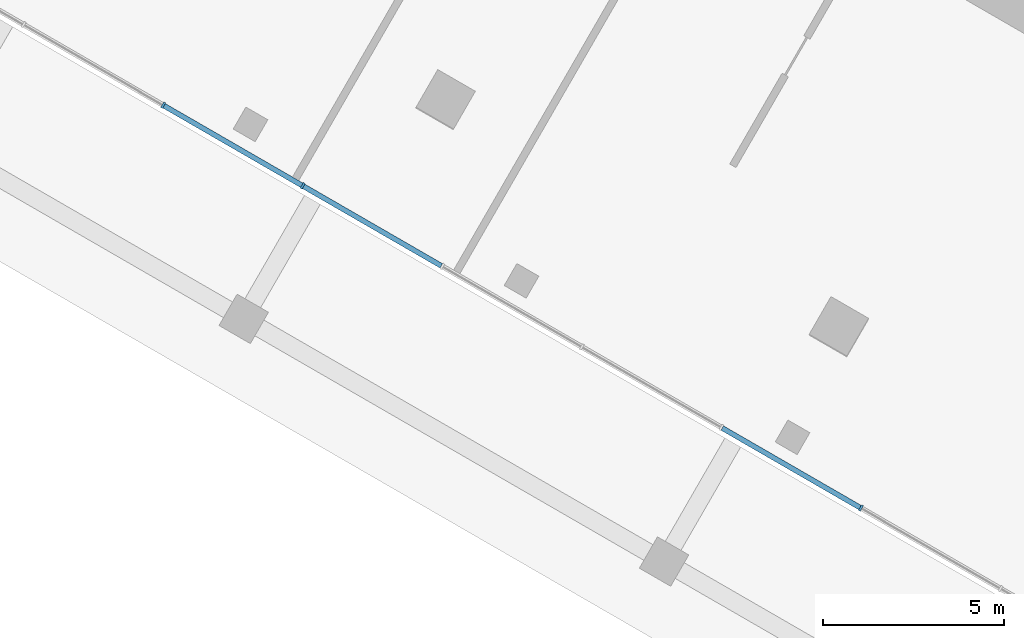
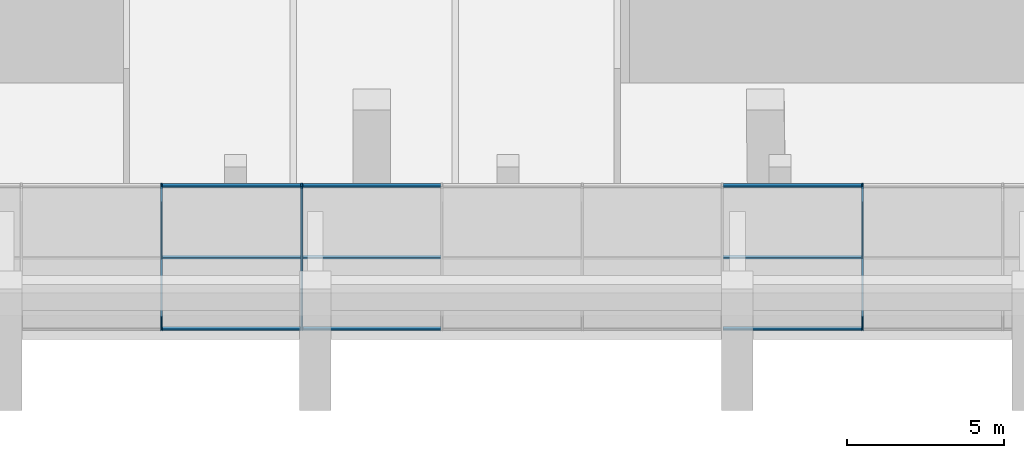
# One storey, part 5 of 51: 12 members, 1 element without a shape of its own.
"""IFC4 building model written with IfcOpenShell, lengths in metres."""

import ifcopenshell
import ifcopenshell.guid

model = None  # the IFC model being written
_history = None  # IfcOwnerHistory: only IFC2X3 demands one
_inside = {}  # id of a spatial element -> (the spatial element, [elements in it])
_under = {}  # id of a project, library or spatial element -> (it, [spatial elements below it])
_declared = {}  # id of a project -> (the project, [libraries it declares])
_typed = {}  # id of a type object -> (the type object, [elements of that type])
_made_of = {}  # id of a material, layer set ... -> (it, [elements and type objects made of it])


def new_model(schema):
    """Start an empty IFC model of exactly this schema.

    Asked for "IFC4X3", IfcOpenShell would pick the latest addendum, in which some entities
    have other attributes; the version numbers below select the first issue.
    IFC2X3 requires an IfcOwnerHistory on every rooted entity: one is made here for all.
    """
    global model, _history
    if schema == "IFC4X3":
        model = ifcopenshell.file(schema_version=(4, 3, 0, 0))
    else:
        model = ifcopenshell.file(schema=schema)
    _inside.clear()
    _under.clear()
    _declared.clear()
    _typed.clear()
    _made_of.clear()
    _history = None
    if model.schema == "IFC2X3":
        org = make("IfcOrganization", Name="unknown")
        user = make(
            "IfcPersonAndOrganization",
            ThePerson=make("IfcPerson", FamilyName="unknown"),
            TheOrganization=org,
        )
        app = make(
            "IfcApplication",
            ApplicationDeveloper=org,
            Version="unknown",
            ApplicationFullName="unknown",
            ApplicationIdentifier="unknown",
        )
        _history = make(
            "IfcOwnerHistory",
            OwningUser=user,
            OwningApplication=app,
            ChangeAction="ADDED",
            CreationDate=0,
        )
    return model


def make(cls, **values):
    """One entity of the class cls with the attributes given. An attribute that is None is left unset."""
    return model.create_entity(
        cls, **{name: value for name, value in values.items() if value is not None}
    )


def rooted(cls, **values):
    """An entity with a GlobalId (a new one), such as an element, a storey or a relation."""
    return make(cls, GlobalId=ifcopenshell.guid.new(), OwnerHistory=_history, **values)


def si_unit(unit_type, name, prefix=None):
    """IfcSIUnit, for example si_unit("LENGTHUNIT", "METRE", prefix="MILLI")."""
    return make("IfcSIUnit", UnitType=unit_type, Prefix=prefix, Name=name)


def assignment(units):
    """IfcUnitAssignment: the units of a project."""
    return None if units is None else make("IfcUnitAssignment", Units=units)


def point(xyz):
    """IfcCartesianPoint."""
    return None if xyz is None else make("IfcCartesianPoint", Coordinates=xyz)


def direction(xyz):
    """IfcDirection."""
    return None if xyz is None else make("IfcDirection", DirectionRatios=xyz)


def frame(location, z_axis=None, x_axis=None):
    """IfcAxis2Placement3D, a coordinate frame: its origin and axes. An axis left out is left unset."""
    return make(
        "IfcAxis2Placement3D",
        Location=point(location),
        Axis=direction(z_axis),
        RefDirection=direction(x_axis),
    )


def frame_2d(location, x_axis=None):
    """IfcAxis2Placement2D, a coordinate frame in the plane: its origin and x axis."""
    return make(
        "IfcAxis2Placement2D", Location=point(location), RefDirection=direction(x_axis)
    )


def origin():
    """The frame at (0, 0, 0) with its axes left unset."""
    return frame((0.0, 0.0, 0.0))


def origin_2d():
    """The frame at (0, 0) in the plane with its x axis left unset."""
    return frame_2d((0.0, 0.0))


def place(relative_to, where):
    """IfcLocalPlacement: puts the frame where relative to a parent placement (None: the world)."""
    return make(
        "IfcLocalPlacement", PlacementRelTo=relative_to, RelativePlacement=where
    )


def context(
    kind, dimensions, precision=None, world=None, true_north=None, identifier=None
):
    """IfcGeometricRepresentationContext, for example the 3D "Model" context."""
    return make(
        "IfcGeometricRepresentationContext",
        ContextIdentifier=identifier,
        ContextType=kind,
        CoordinateSpaceDimension=dimensions,
        Precision=precision,
        WorldCoordinateSystem=world,
        TrueNorth=true_north,
    )


def subcontext(parent, identifier, kind, view, scale=None):
    """IfcGeometricRepresentationSubContext, for example "Body" below "Model"."""
    return make(
        "IfcGeometricRepresentationSubContext",
        ContextIdentifier=identifier,
        ContextType=kind,
        ParentContext=parent,
        TargetScale=scale,
        TargetView=view,
    )


def project(units=None, contexts=None):
    """IfcProject with its units and contexts."""
    return rooted(
        "IfcProject",
        Name="project",
        RepresentationContexts=contexts,
        UnitsInContext=assignment(units),
    )


def spatial(cls, under=None, at=None, **own):
    """A site, building, storey or space (cls), placed at a placement, below another one or the project."""
    s = rooted(cls, ObjectPlacement=at, **own)
    if under is not None:
        _under.setdefault(under.id(), (under, []))[1].append(s)
    return s


def profile(cls, at=None, kind="AREA", **sizes):
    """A parametric profile (cls). Its sizes go by their IFC names, for example OverallWidth=200.0."""
    return make(cls, ProfileType=kind, Position=at, **sizes)


def rectangle(**sizes):
    """IfcRectangleProfileDef."""
    return profile("IfcRectangleProfileDef", **sizes)


def extrude(swept, where, along, depth):
    """IfcExtrudedAreaSolid: the profile swept, set in the frame where, extruded along a direction by depth."""
    return make(
        "IfcExtrudedAreaSolid",
        SweptArea=swept,
        Position=where,
        ExtrudedDirection=direction(along),
        Depth=depth,
    )


def shape(context_of_items, identifier, shape_type, items):
    """IfcShapeRepresentation: the items that make up one representation, for example the "Body"."""
    return make(
        "IfcShapeRepresentation",
        ContextOfItems=context_of_items,
        RepresentationIdentifier=identifier,
        RepresentationType=shape_type,
        Items=items,
    )


def material(Name=None, Category=None):
    """IfcMaterial."""
    return make("IfcMaterial", Name=Name, Category=Category)


def layer(
    of_material, thickness, ventilated=None, Name=None, Category=None, Priority=None
):
    """IfcMaterialLayer: one layer of a wall or slab, of a material (None: an air gap)."""
    return make(
        "IfcMaterialLayer",
        Material=of_material,
        LayerThickness=thickness,
        IsVentilated=ventilated,
        Name=Name,
        Category=Category,
        Priority=Priority,
    )


def layer_set(layers, Name=None):
    """IfcMaterialLayerSet."""
    return make("IfcMaterialLayerSet", MaterialLayers=layers, LayerSetName=Name)


def material_profile(
    of_material, cross_section, Name=None, Category=None, Priority=None
):
    """IfcMaterialProfile: a cross section and its material."""
    return make(
        "IfcMaterialProfile",
        Name=Name,
        Material=of_material,
        Profile=cross_section,
        Priority=Priority,
        Category=Category,
    )


def profile_set(profiles, Name=None, composite=None):
    """IfcMaterialProfileSet."""
    return make(
        "IfcMaterialProfileSet",
        Name=Name,
        MaterialProfiles=profiles,
        CompositeProfile=composite,
    )


def made_of(thing, what):
    """Note that an element or type object is made of a material, layer set ...; save() writes the relation."""
    if what is not None:
        _made_of.setdefault(what.id(), (what, []))[1].append(thing)
    return thing


def type_object(cls, material=None, **own):
    """A type object (cls), such as IfcWallType, which elements share."""
    return made_of(rooted(cls, **own), material)


def element(
    cls,
    number,
    at=None,
    inside=None,
    cuts=None,
    type_object=None,
    material=None,
    context=None,
    identifier="Body",
    shape_type=None,
    held_by="IfcProductDefinitionShape",
    body=None,
    shapes=None,
    **own,
):
    """One element of the class cls, such as IfcWall. Its Tag is "e" and its number.

    at: its placement. inside: the storey or other place that contains it. cuts: it is an
    opening in that element (IfcRelVoidsElement). A single representation is given by context,
    identifier, shape_type and body (its items); several are given by shapes. held_by: the class
    of the entity that holds the representations. save() writes the other relations.
    """
    e = rooted(cls, Tag="e%d" % number, ObjectPlacement=at, **own)
    if body is not None:
        shapes = [shape(context, identifier, shape_type, body)]
    if shapes is not None:
        e.Representation = make(held_by, Representations=shapes)
    if inside is not None:
        _inside.setdefault(inside.id(), (inside, []))[1].append(e)
    if cuts is not None:
        rooted(
            "IfcRelVoidsElement", RelatingBuildingElement=cuts, RelatedOpeningElement=e
        )
    if type_object is not None:
        _typed.setdefault(type_object.id(), (type_object, []))[1].append(e)
    return made_of(e, material)


def aggregate(whole, parts):
    """IfcRelAggregates: a whole, such as a stair, and the parts it consists of."""
    return rooted("IfcRelAggregates", RelatingObject=whole, RelatedObjects=parts)


def save(model, path):
    """Write the relations noted so far, then the file.

    IfcRelAggregates (storeys below a building ...), IfcRelContainedInSpatialStructure (elements
    in a storey), IfcRelDefinesByType, IfcRelAssociatesMaterial and IfcRelDeclares: one each for
    every whole, place, type object, material and project.
    """
    for whole, parts in _under.values():
        aggregate(whole, parts)
    for where, things in _inside.values():
        rooted(
            "IfcRelContainedInSpatialStructure",
            RelatedElements=things,
            RelatingStructure=where,
        )
    for kind, things in _typed.values():
        rooted("IfcRelDefinesByType", RelatedObjects=things, RelatingType=kind)
    for what, things in _made_of.values():
        rooted("IfcRelAssociatesMaterial", RelatedObjects=things, RelatingMaterial=what)
    for by, libraries in _declared.values():
        rooted("IfcRelDeclares", RelatingContext=by, RelatedDefinitions=libraries)
    model.write(path)


model = new_model("IFC4")

# Units and contexts
model_context = context("Model", 3, precision=1e-05, world=origin(), true_north=direction((0.0, 1.0)))
body_context = subcontext(model_context, "Body", "Model", "MODEL_VIEW")
ifc_project = project(units=[si_unit("LENGTHUNIT", "METRE"), si_unit("AREAUNIT", "SQUARE_METRE"), si_unit("VOLUMEUNIT", "CUBIC_METRE"), si_unit("PLANEANGLEUNIT", "RADIAN"), si_unit("MASSUNIT", "GRAM", prefix="KILO")], contexts=[model_context])

# Site, building, storey
site_placement = place(None, origin())
site = spatial("IfcSite", under=ifc_project, at=site_placement, CompositionType="ELEMENT")
building_placement = place(site_placement, origin())
building = spatial("IfcBuilding", under=site, at=building_placement, Name="Jabali Bay Hotel Tower and Convention Centre", CompositionType="ELEMENT")
storey_placement = place(building_placement, frame((0.0, 0.0, 9.0)))
storey = spatial("IfcBuildingStorey", under=building, at=storey_placement, Name="L01", CompositionType="ELEMENT", Elevation=9.0)

# Curtain wall, members
ifc_material_1 = material(Name="Aluminium and glass", Category="aluminium")
ifc_layer = layer(ifc_material_1, 0.179931640625)
ifc_layer_set = layer_set([ifc_layer], Name="Aluminium and glass")
curtain_wall_type = type_object("IfcCurtainWallType", Name="CW1 curtain wall", PredefinedType="NOTDEFINED", material=ifc_layer_set)
curtain_wall_placement = place(storey_placement, origin())
curtain_wall = element("IfcCurtainWall", 1, at=curtain_wall_placement, inside=storey, type_object=curtain_wall_type, Name="CW1 curtain wall south-west face L01", PredefinedType="NOTDEFINED")
ifc_material_2 = material(Name="Aluminium", Category="aluminium")
ifc_material_profile_1 = material_profile(ifc_material_2, rectangle(XDim=0.179931640625, YDim=0.06005859375, at=origin_2d()), Name="CW1 mullion 60 x 180")
ifc_profile_set_1 = profile_set([ifc_material_profile_1], Name="Aluminium")
member_type_1 = type_object("IfcMemberType", Name="CW1 mullion 60 x 180", PredefinedType="MULLION", material=ifc_profile_set_1)
member_1_placement = place(storey_placement, frame((74.251953125, 47.52294921875, 0.0), z_axis=(0.0, 0.0, 1.0), x_axis=(-0.499999999441, -0.866025404107, 0.0)))
member_1 = element("IfcMember", 2, at=member_1_placement, type_object=member_type_1, Name="CW1 mullion 6", PredefinedType="MULLION", context=body_context, shape_type="SweptSolid", body=[
    extrude(rectangle(XDim=0.179931640625, YDim=0.06005859375, at=origin_2d()), origin(), (0.0, 0.0, 1.0), 5.60009765625),
])
member_2_placement = place(storey_placement, frame((58.821044921875, 56.431884765625, 0.0), z_axis=(0.0, 0.0, 1.0), x_axis=(-0.499999999441, -0.866025404107, 0.0)))
member_2 = element("IfcMember", 3, at=member_2_placement, type_object=member_type_1, Name="CW1 mullion 10", PredefinedType="MULLION", context=body_context, shape_type="SweptSolid", body=[
    extrude(rectangle(XDim=0.179931640625, YDim=0.06005859375, at=origin_2d()), origin(), (0.0, 0.0, 1.0), 5.60009765625),
])
member_3_placement = place(storey_placement, frame((54.96337890625, 58.6591796875, 0.0), z_axis=(0.0, 0.0, 1.0), x_axis=(-0.499999999441, -0.866025404107, 0.0)))
member_3 = element("IfcMember", 4, at=member_3_placement, type_object=member_type_1, Name="CW1 mullion 11", PredefinedType="MULLION", context=body_context, shape_type="SweptSolid", body=[
    extrude(rectangle(XDim=0.179931640625, YDim=0.06005859375, at=origin_2d()), origin(), (0.0, 0.0, 1.0), 5.60009765625),
])
ifc_material_profile_2 = material_profile(ifc_material_2, rectangle(XDim=0.139892578125, YDim=0.06005859375, at=origin_2d()), Name="CW1 transom 60 x 140")
ifc_profile_set_2 = profile_set([ifc_material_profile_2], Name="Aluminium")
member_type_2 = type_object("IfcMemberType", Name="CW1 transom 60 x 140", PredefinedType="USERDEFINED", material=ifc_profile_set_2)
member_4_placement = place(storey_placement, frame((74.22607421875, 47.537841796875, 0.030029296875), z_axis=(-0.866019052629, 0.500011000363, 0.0), x_axis=(-0.500011000363, -0.866019052629, 0.0)))
member_4 = element("IfcMember", 5, at=member_4_placement, type_object=member_type_2, Name="CW1 transom 6.1", ObjectType="TRANSOM", PredefinedType="USERDEFINED", context=body_context, shape_type="SweptSolid", body=[
    extrude(rectangle(XDim=0.139892578125, YDim=0.06005859375, at=origin_2d()), origin(), (0.0, 0.0, 1.0), 4.39453125),
])
member_5_placement = place(storey_placement, frame((74.22607421875, 47.537841796875, 2.800048828125), z_axis=(-0.866019052629, 0.500011000363, 0.0), x_axis=(-0.500011000363, -0.866019052629, 0.0)))
member_5 = element("IfcMember", 6, at=member_5_placement, type_object=member_type_2, Name="CW1 transom 6.2", ObjectType="TRANSOM", PredefinedType="USERDEFINED", context=body_context, shape_type="SweptSolid", body=[
    extrude(rectangle(XDim=0.139892578125, YDim=0.06005859375, at=origin_2d()), origin(), (0.0, 0.0, 1.0), 4.39453125),
])
member_6_placement = place(storey_placement, frame((74.22607421875, 47.537841796875, 5.570068359375), z_axis=(-0.866019052629, 0.500011000363, 0.0), x_axis=(-0.500011000363, -0.866019052629, 0.0)))
member_6 = element("IfcMember", 7, at=member_6_placement, type_object=member_type_2, Name="CW1 transom 6.3", ObjectType="TRANSOM", PredefinedType="USERDEFINED", context=body_context, shape_type="SweptSolid", body=[
    extrude(rectangle(XDim=0.139892578125, YDim=0.06005859375, at=origin_2d()), origin(), (0.0, 0.0, 1.0), 4.39453125),
])
member_7_placement = place(storey_placement, frame((62.65283203125, 54.2197265625, 0.030029296875), z_axis=(-0.866019052629, 0.500011000363, 0.0), x_axis=(-0.500011000363, -0.866019052629, 0.0)))
member_7 = element("IfcMember", 8, at=member_7_placement, type_object=member_type_2, Name="CW1 transom 9.1", ObjectType="TRANSOM", PredefinedType="USERDEFINED", context=body_context, shape_type="SweptSolid", body=[
    extrude(rectangle(XDim=0.139892578125, YDim=0.06005859375, at=origin_2d()), origin(), (0.0, 0.0, 1.0), 4.39453125),
])
member_8_placement = place(storey_placement, frame((62.65283203125, 54.2197265625, 2.800048828125), z_axis=(-0.866019052629, 0.500011000363, 0.0), x_axis=(-0.500011000363, -0.866019052629, 0.0)))
member_8 = element("IfcMember", 9, at=member_8_placement, type_object=member_type_2, Name="CW1 transom 9.2", ObjectType="TRANSOM", PredefinedType="USERDEFINED", context=body_context, shape_type="SweptSolid", body=[
    extrude(rectangle(XDim=0.139892578125, YDim=0.06005859375, at=origin_2d()), origin(), (0.0, 0.0, 1.0), 4.39453125),
])
member_9_placement = place(storey_placement, frame((62.65283203125, 54.2197265625, 5.570068359375), z_axis=(-0.866019052629, 0.500011000363, 0.0), x_axis=(-0.500011000363, -0.866019052629, 0.0)))
member_9 = element("IfcMember", 10, at=member_9_placement, type_object=member_type_2, Name="CW1 transom 9.3", ObjectType="TRANSOM", PredefinedType="USERDEFINED", context=body_context, shape_type="SweptSolid", body=[
    extrude(rectangle(XDim=0.139892578125, YDim=0.06005859375, at=origin_2d()), origin(), (0.0, 0.0, 1.0), 4.39453125),
])
member_10_placement = place(storey_placement, frame((58.795166015625, 56.447021484375, 0.030029296875), z_axis=(-0.866019052629, 0.500011000363, 0.0), x_axis=(-0.500011000363, -0.866019052629, 0.0)))
member_10 = element("IfcMember", 11, at=member_10_placement, type_object=member_type_2, Name="CW1 transom 10.1", ObjectType="TRANSOM", PredefinedType="USERDEFINED", context=body_context, shape_type="SweptSolid", body=[
    extrude(rectangle(XDim=0.139892578125, YDim=0.06005859375, at=origin_2d()), origin(), (0.0, 0.0, 1.0), 4.39453125),
])
member_11_placement = place(storey_placement, frame((58.795166015625, 56.447021484375, 2.800048828125), z_axis=(-0.866019052629, 0.500011000363, 0.0), x_axis=(-0.500011000363, -0.866019052629, 0.0)))
member_11 = element("IfcMember", 12, at=member_11_placement, type_object=member_type_2, Name="CW1 transom 10.2", ObjectType="TRANSOM", PredefinedType="USERDEFINED", context=body_context, shape_type="SweptSolid", body=[
    extrude(rectangle(XDim=0.139892578125, YDim=0.06005859375, at=origin_2d()), origin(), (0.0, 0.0, 1.0), 4.39453125),
])
member_12_placement = place(storey_placement, frame((58.795166015625, 56.447021484375, 5.570068359375), z_axis=(-0.866019052629, 0.500011000363, 0.0), x_axis=(-0.500011000363, -0.866019052629, 0.0)))
member_12 = element("IfcMember", 13, at=member_12_placement, type_object=member_type_2, Name="CW1 transom 10.3", ObjectType="TRANSOM", PredefinedType="USERDEFINED", context=body_context, shape_type="SweptSolid", body=[
    extrude(rectangle(XDim=0.139892578125, YDim=0.06005859375, at=origin_2d()), origin(), (0.0, 0.0, 1.0), 4.39453125),
])
aggregate(curtain_wall, [member_1, member_2, member_3, member_4, member_5, member_6, member_7, member_8, member_9, member_10, member_11, member_12])

save(model, "model.ifc")
